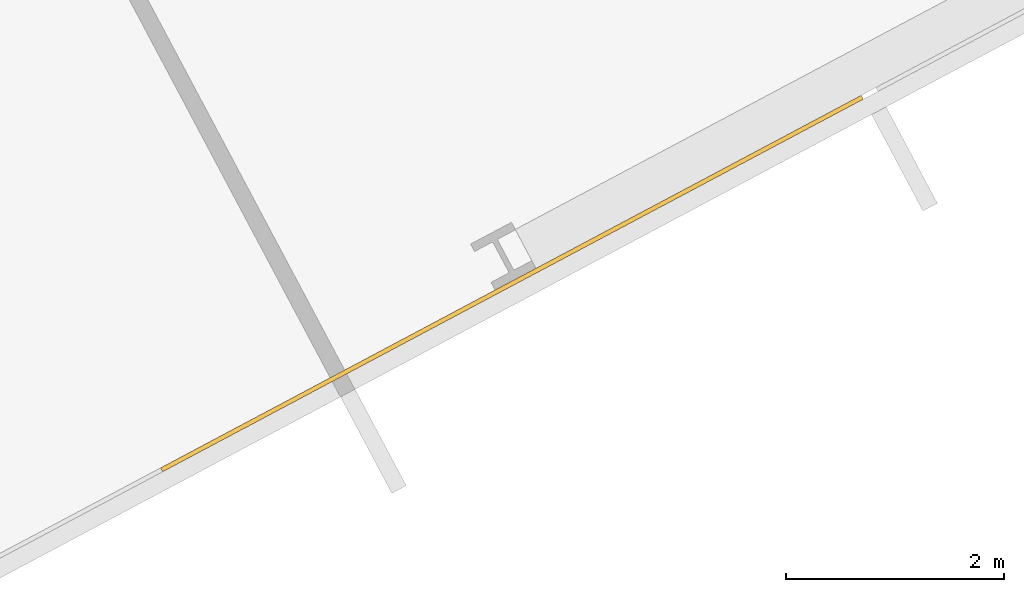
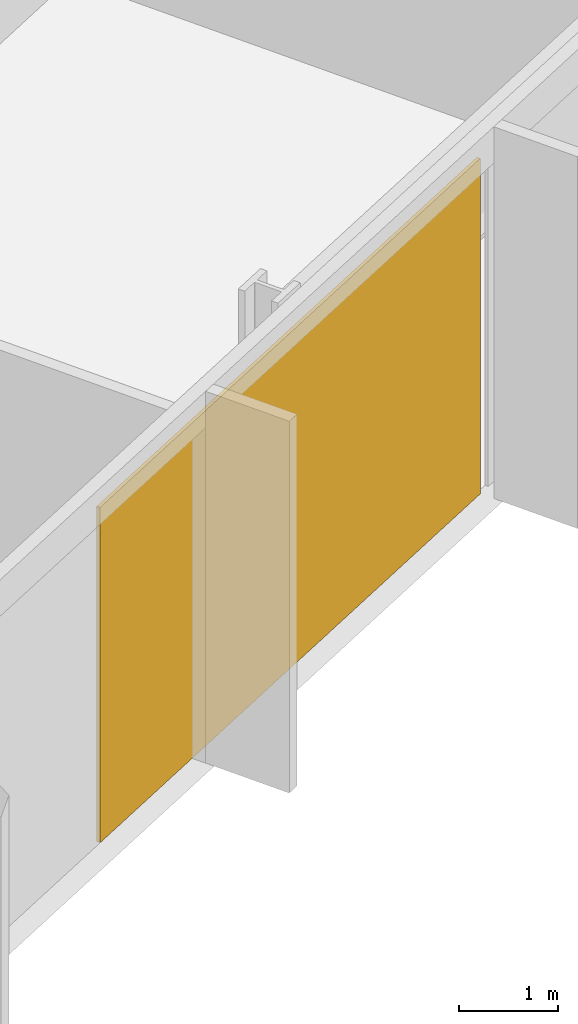
# One storey, part 28 of 31: 1 covering, 1 element without a shape of its own.
"""IFC4 building model written with IfcOpenShell, lengths in metres."""

from ifc_helpers import new_model, si_unit, direction, frame, origin, origin_2d, place, context, subcontext, project, spatial, rectangle, extrude, material, layer, layer_set, type_object, element, aggregate, save


model = new_model("IFC4")

# Units and contexts
model_context = context("Model", 3, precision=1e-05, world=origin(), true_north=direction((0.0, 1.0)))
body_context = subcontext(model_context, "Body", "Model", "MODEL_VIEW")
ifc_project = project(units=[si_unit("LENGTHUNIT", "METRE"), si_unit("AREAUNIT", "SQUARE_METRE"), si_unit("VOLUMEUNIT", "CUBIC_METRE"), si_unit("PLANEANGLEUNIT", "RADIAN"), si_unit("MASSUNIT", "GRAM", prefix="KILO")], contexts=[model_context])

# Site, building, storey
site_placement = place(None, origin())
site = spatial("IfcSite", under=ifc_project, at=site_placement, CompositionType="ELEMENT")
building_placement = place(site_placement, origin())
building = spatial("IfcBuilding", under=site, at=building_placement, Name="Cormorant Relay Tower", CompositionType="ELEMENT")
storey_placement = place(building_placement, frame((0.0, 0.0, 93.800048828125)))
storey = spatial("IfcBuildingStorey", under=building, at=storey_placement, Name="L18", CompositionType="ELEMENT", Elevation=93.800048828125)

# Curtain wall, covering
ifc_material_1 = material(Name="Aluminium 6063-T6 anodised bronze", Category="aluminium")
ifc_layer_1 = layer(ifc_material_1, 0.199951171875)
ifc_layer_set_1 = layer_set([ifc_layer_1], Name="CW1 unitised bronze curtain wall with vertical fins")
curtain_wall_type = type_object("IfcCurtainWallType", Name="CW1 unitised bronze curtain wall with vertical fins", PredefinedType="NOTDEFINED", material=ifc_layer_set_1)
curtain_wall_placement = place(storey_placement, origin())
curtain_wall = element("IfcCurtainWall", 1, at=curtain_wall_placement, inside=storey, type_object=curtain_wall_type, Name="CW1 curtain wall 2", PredefinedType="NOTDEFINED")
ifc_material_2 = material(Name="Pale bronze anodised aluminium insulated panel", Category="aluminium")
ifc_layer_2 = layer(ifc_material_2, 0.0400390625)
ifc_layer_set_2 = layer_set([ifc_layer_2], Name="CW1 pale bronze insulated panel 40")
covering_type = type_object("IfcCoveringType", Name="CW1 pale bronze insulated panel 40", PredefinedType="CLADDING", material=ifc_layer_set_2)
covering_placement = place(storey_placement, frame((52.914306640625, 4.328369140625, 0.0), z_axis=(0.0, 0.0, 1.0), x_axis=(0.882947592859, 0.469471562786, 0.0)))
covering = element("IfcCovering", 2, at=covering_placement, type_object=covering_type, Name="CW1 panel S11", PredefinedType="CLADDING", context=body_context, shape_type="SweptSolid", body=[
    extrude(rectangle(XDim=7.273681640625, YDim=0.0400390625, at=origin_2d()), origin(), (0.0, 0.0, 1.0), 4.14990234375),
])
aggregate(curtain_wall, [covering])

save(model, "model.ifc")
